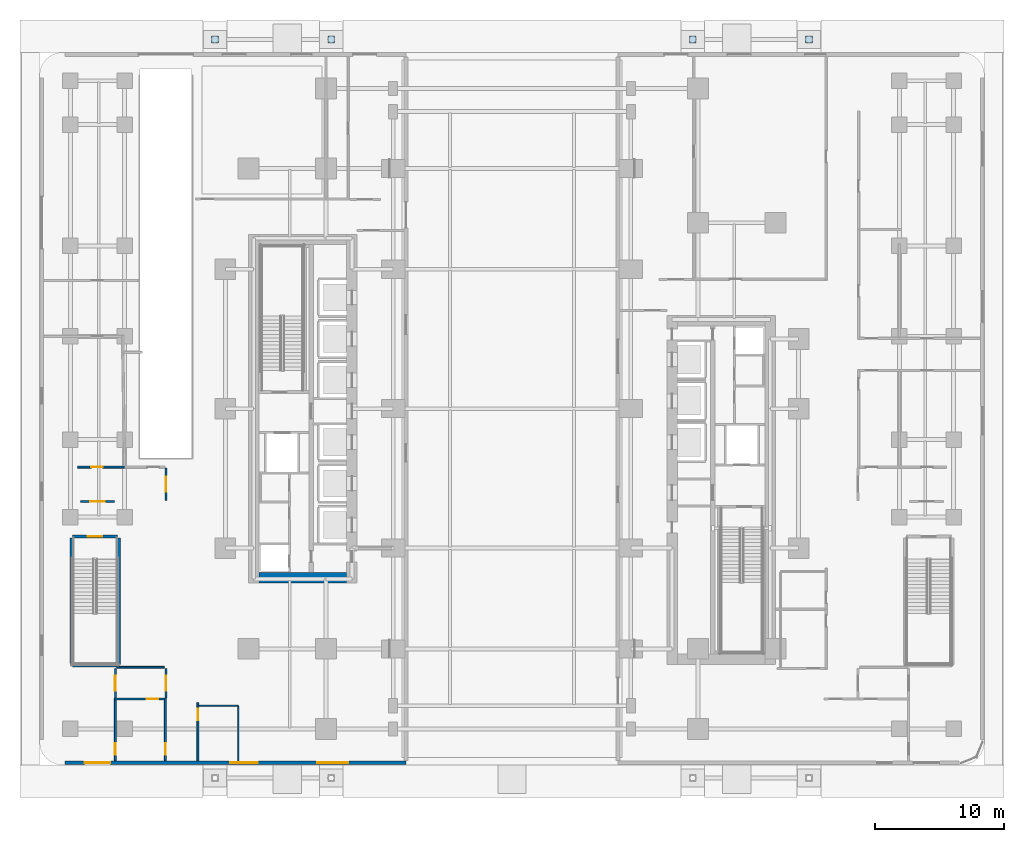
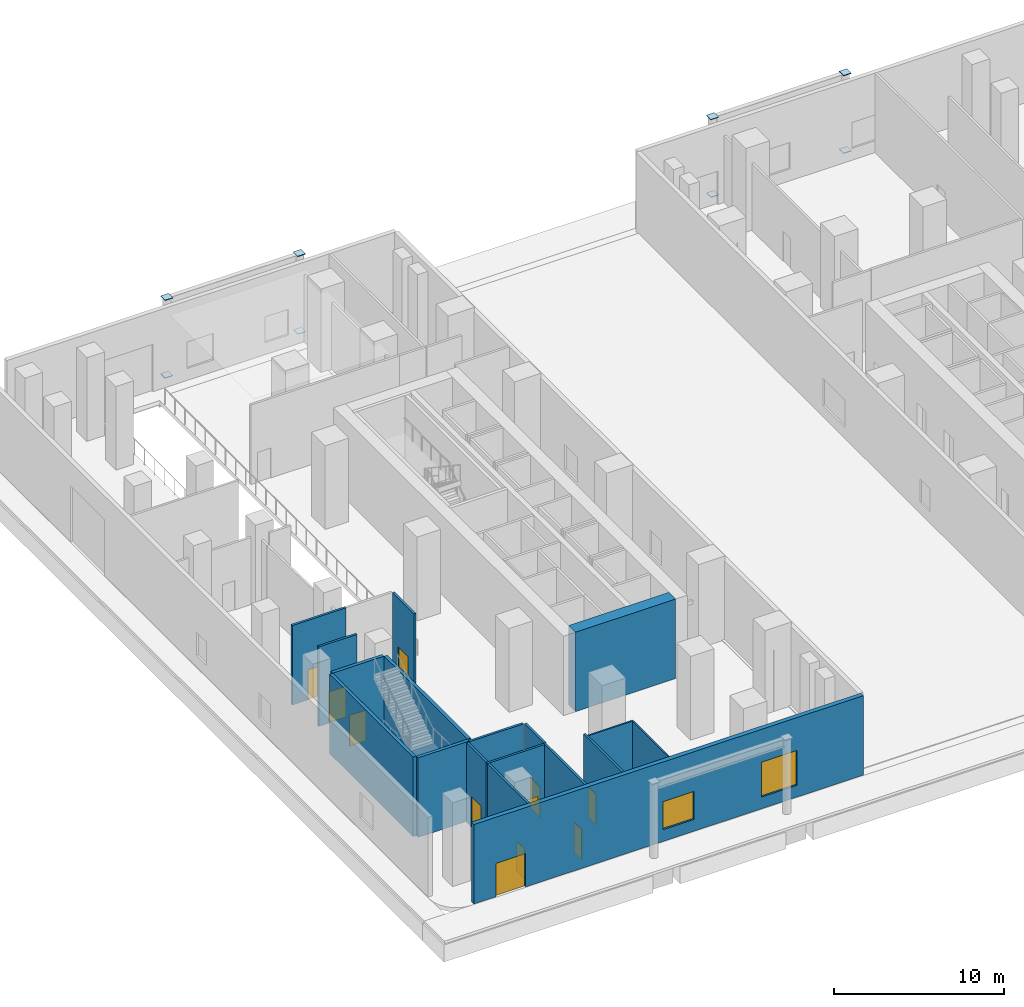
# One storey, part 8 of 22: 18 walls, 11 doors, 8 plates, 2 windows, 13 openings.
"""IFC4 building model written with IfcOpenShell, lengths in metres."""

from ifc_helpers import new_model, si_unit, direction, frame, frame_2d, origin, origin_2d, place, context, subcontext, project, spatial, rectangle, extrude, material, layer, layer_set, type_object, element, fill, save


model = new_model("IFC4")

# Units and contexts
model_context = context("Model", 3, precision=1e-05, world=origin(), true_north=direction((0.0, 1.0)))
body_context = subcontext(model_context, "Body", "Model", "MODEL_VIEW")
ifc_project = project(units=[si_unit("LENGTHUNIT", "METRE"), si_unit("AREAUNIT", "SQUARE_METRE"), si_unit("VOLUMEUNIT", "CUBIC_METRE"), si_unit("PLANEANGLEUNIT", "RADIAN"), si_unit("MASSUNIT", "GRAM", prefix="KILO")], contexts=[model_context])

# Site, building, storey
site_placement = place(None, origin())
site = spatial("IfcSite", under=ifc_project, at=site_placement, CompositionType="ELEMENT")
building_placement = place(site_placement, origin())
building = spatial("IfcBuilding", under=site, at=building_placement, Name="Khairoan Windgate Tower", CompositionType="ELEMENT")
storey_placement = place(building_placement, origin())
storey = spatial("IfcBuildingStorey", under=building, at=storey_placement, Name="L01", CompositionType="ELEMENT", Elevation=0.0)

# Plates
ifc_material_1 = material(Name="Steel S355", Category="steel")
ifc_layer_1 = layer(ifc_material_1, 0.0400390625, Name="Steel S355")
ifc_layer_set_1 = layer_set([ifc_layer_1], Name="Steel S355")
plate_type = type_object("IfcPlateType", Name="Hollow Section End-Cap Plate PL-CAP40", PredefinedType="SHEET", material=ifc_layer_set_1)
for number, where, z_axis, x_axis, name in (
    (1, (-23.0, 28.60009765625, -0.205078125), (0.0, 0.0, 1.0), (1.0, 0.0, 0.0), "COL-CAN-N--23 steel end-cap plate 1"),
    (2, (-23.0, 28.60009765625, 5.364990234375), (0.0, 0.0, 1.0), (1.0, 0.0, 0.0), "COL-CAN-N--23 steel end-cap plate 2"),
    (3, (-14.0, 28.60009765625, -0.205078125), (0.0, 0.0, 1.0), (1.0, 0.0, 0.0), "COL-CAN-N--14 steel end-cap plate 1"),
    (4, (-14.0, 28.60009765625, 5.364990234375), (0.0, 0.0, 1.0), (1.0, 0.0, 0.0), "COL-CAN-N--14 steel end-cap plate 2"),
    (5, (14.0, 28.60009765625, -0.205078125), (0.0, 0.0, 1.0), (1.0, 0.0, 0.0), "COL-CAN-N-+14 steel end-cap plate 1"),
    (6, (14.0, 28.60009765625, 5.364990234375), (0.0, 0.0, 1.0), (1.0, 0.0, 0.0), "COL-CAN-N-+14 steel end-cap plate 2"),
    (7, (23.0, 28.60009765625, -0.205078125), (0.0, 0.0, 1.0), (1.0, 0.0, 0.0), "COL-CAN-N-+23 steel end-cap plate 1"),
    (8, (23.0, 28.60009765625, 5.364990234375), (0.0, 0.0, 1.0), (1.0, 0.0, 0.0), "COL-CAN-N-+23 steel end-cap plate 2"),
):
    element("IfcPlate", number, at=place(storey_placement, frame(where, z_axis=z_axis, x_axis=x_axis)), inside=storey, type_object=plate_type, Name=name, PredefinedType="SHEET", context=body_context, shape_type="SweptSolid", body=[
        extrude(rectangle(XDim=0.528076171875, YDim=0.528076171875, at=origin_2d()), origin(), (0.0, 0.0, 1.0), 0.0400390625),
    ])

# Walls
ifc_material_2 = material(Name="Moisture-Resistant Gypsum Partition", Category="gypsum")
ifc_layer_2 = layer(ifc_material_2, 0.10009765625, Name="Moisture-Resistant Gypsum Partition")
ifc_layer_set_2 = layer_set([ifc_layer_2], Name="Moisture-Resistant Gypsum Partition")
wall_type_1 = type_object("IfcWallType", Name="Bathroom Wet-Area Partition Wall", PredefinedType="PARTITIONING", material=ifc_layer_set_2)
wall_1_placement = place(storey_placement, frame((-24.2451171875, -23.0, 0.0), z_axis=(0.0, 0.0, 1.0), x_axis=(1.0, 0.0, 0.0)))
element("IfcWall", 9, at=wall_1_placement, inside=storey, type_object=wall_type_1, Name="L01 Wet Room Side Wall 050", PredefinedType="PARTITIONING", context=body_context, shape_type="SweptSolid", body=[
    extrude(rectangle(XDim=3.045166015625, YDim=0.10009765625, at=frame_2d((1.5224609375, 0.0))), origin(), (0.0, 0.0, 1.0), 5.699951171875),
])
wall_2_placement = place(storey_placement, frame((-21.199951171875, -23.050048828125, 0.0), z_axis=(0.0, 0.0, 1.0), x_axis=(0.0, -1.0, 0.0)))
element("IfcWall", 10, at=wall_2_placement, inside=storey, type_object=wall_type_1, Name="L01 Wet Room Side Wall 051", PredefinedType="PARTITIONING", context=body_context, shape_type="SweptSolid", body=[
    extrude(rectangle(XDim=4.219970703125, YDim=0.10009765625, at=frame_2d((2.10986328125, 0.0))), origin(), (0.0, 0.0, 1.0), 5.699951171875),
])

# Wall, openings, door, windows
ifc_material_3 = material(Name="Precast Concrete C40/50", Category="concrete")
ifc_layer_3 = layer(ifc_material_3, 0.300048828125, Name="Precast Concrete C40/50")
ifc_layer_set_3 = layer_set([ifc_layer_3], Name="Precast Concrete C40/50")
wall_type_2 = type_object("IfcWallType", Name="Insulated Precast Spandrel Facade Wall EW1 300mm", PredefinedType="STANDARD", material=ifc_layer_set_3)
wall_3_placement = place(storey_placement, frame((-8.199951171875, -27.419921875, 0.0), z_axis=(0.0, 0.0, 1.0), x_axis=(-1.0, 0.0, 0.0)))
wall_3 = element("IfcWall", 11, at=wall_3_placement, inside=storey, type_object=wall_type_2, Name="Ground Facade Wall EW-L01-WS", PredefinedType="STANDARD", context=body_context, shape_type="SweptSolid", body=[
    extrude(rectangle(XDim=26.400146484375, YDim=0.300048828125, at=frame_2d((13.2001953125, 0.0))), origin(), (0.0, 0.0, 1.0), 5.699951171875),
])
opening_1_placement = place(wall_3_placement, frame((22.89990234375, 0.0, 0.0)))
opening_1 = element("IfcOpeningElement", 12, at=opening_1_placement, cuts=wall_3, Name="Opening ED-04", PredefinedType="OPENING", context=body_context, shape_type="SweptSolid", body=[
    extrude(rectangle(XDim=2.0, YDim=2.39990234375, at=frame_2d((1.0, 1.199951171875))), frame((0.0, 0.159912109375, 0.0), z_axis=(0.0, -1.0, 0.0), x_axis=(1.0, 0.0, 0.0)), (0.0, 0.0, 1.0), 0.320068359375),
])
opening_2_placement = place(wall_3_placement, frame((4.5, 0.0, 0.85009765625)))
opening_2 = element("IfcOpeningElement", 13, at=opening_2_placement, cuts=wall_3, Name="Opening WN-01", PredefinedType="OPENING", context=body_context, shape_type="SweptSolid", body=[
    extrude(rectangle(XDim=2.39990234375, YDim=2.5, at=frame_2d((1.199951171875, 1.25))), frame((0.0, 0.159912109375, 0.0), z_axis=(0.0, -1.0, 0.0), x_axis=(1.0, 0.0, 0.0)), (0.0, 0.0, 1.0), 0.320068359375),
])
opening_3_placement = place(wall_3_placement, frame((11.5, 0.0, 0.85009765625)))
opening_3 = element("IfcOpeningElement", 14, at=opening_3_placement, cuts=wall_3, Name="Opening WN-02", PredefinedType="OPENING", context=body_context, shape_type="SweptSolid", body=[
    extrude(rectangle(XDim=2.10009765625, YDim=2.0, at=frame_2d((1.050048828125, 1.0))), frame((0.0, 0.159912109375, 0.0), z_axis=(0.0, -1.0, 0.0), x_axis=(1.0, 0.0, 0.0)), (0.0, 0.0, 1.0), 0.320068359375),
])
ifc_material_4 = material(Name="Anodised Bronze Aluminium 6063-T6", Category="aluminium")
door_type_1 = type_object("IfcDoorType", Name="Double Pedestrian Final Exit Door ED-2000", OperationType="DOUBLE_DOOR_SINGLE_SWING", PredefinedType="DOOR", material=ifc_material_4)
door_1_placement = place(opening_1_placement, origin())
door_1 = element("IfcDoor", 15, at=door_1_placement, inside=storey, type_object=door_type_1, Name="Podium West Stair Final Exit Door ED-04", OperationType="DOUBLE_DOOR_SINGLE_SWING", OverallHeight=2.39990234375, OverallWidth=2.0, PredefinedType="DOOR", context=body_context, shape_type="SweptSolid", body=[
    extrude(rectangle(XDim=2.0, YDim=2.39990234375, at=frame_2d((1.0, 1.199951171875))), frame((0.0, 0.02490234375, 0.0), z_axis=(0.0, -1.0, 0.0), x_axis=(1.0, 0.0, 0.0)), (0.0, 0.0, 1.0), 0.050048828125),
])
fill(opening_1, door_1)
ifc_material_5 = material(Name="Low-E Solar Control Laminated Glass", Category="glass")
window_type_1 = type_object("IfcWindowType", Name="Window WN-01 2400x2500", PartitioningType="TRIPLE_PANEL_HORIZONTAL", PredefinedType="WINDOW", material=ifc_material_5)
window_1_placement = place(opening_2_placement, origin())
window_1 = element("IfcWindow", 16, at=window_1_placement, inside=storey, type_object=window_type_1, Name="L01 Facade Window 01", OverallHeight=2.5, OverallWidth=2.39990234375, PartitioningType="SINGLE_PANEL", PredefinedType="WINDOW", context=body_context, shape_type="SweptSolid", body=[
    extrude(rectangle(XDim=2.39990234375, YDim=2.5, at=frame_2d((1.199951171875, 1.25))), frame((0.0, 0.030029296875, 0.0), z_axis=(0.0, -1.0, 0.0), x_axis=(1.0, 0.0, 0.0)), (0.0, 0.0, 1.0), 0.06005859375),
])
fill(opening_2, window_1)
ifc_material_6 = material(Name="Low-E Solar Control Laminated Glass", Category="glass")
window_type_2 = type_object("IfcWindowType", Name="Window WN-02 2100x2000", PartitioningType="DOUBLE_PANEL_VERTICAL", PredefinedType="WINDOW", material=ifc_material_6)
window_2_placement = place(opening_3_placement, origin())
window_2 = element("IfcWindow", 17, at=window_2_placement, inside=storey, type_object=window_type_2, Name="L01 Facade Window 02", OverallHeight=2.0, OverallWidth=2.10009765625, PartitioningType="SINGLE_PANEL", PredefinedType="WINDOW", context=body_context, shape_type="SweptSolid", body=[
    extrude(rectangle(XDim=2.10009765625, YDim=2.0, at=frame_2d((1.050048828125, 1.0))), frame((0.0, 0.030029296875, 0.0), z_axis=(0.0, -1.0, 0.0), x_axis=(1.0, 0.0, 0.0)), (0.0, 0.0, 1.0), 0.06005859375),
])
fill(opening_3, window_2)

# Wall, opening, door
ifc_material_7 = material(Name="Acoustic Fire-Rated Gypsum Partition", Category="gypsum")
ifc_layer_4 = layer(ifc_material_7, 0.14990234375, Name="Acoustic Fire-Rated Gypsum Partition")
ifc_layer_set_4 = layer_set([ifc_layer_4], Name="Acoustic Fire-Rated Gypsum Partition")
wall_type_3 = type_object("IfcWallType", Name="Rated Corridor Partition Wall", PredefinedType="PARTITIONING", material=ifc_layer_set_4)
wall_4_placement = place(storey_placement, frame((-33.39990234375, -7.199951171875, 0.0), z_axis=(0.0, 0.0, 1.0), x_axis=(1.0, 0.0, 0.0)))
wall_4 = element("IfcWall", 18, at=wall_4_placement, inside=storey, type_object=wall_type_3, Name="L01 Protected Exit Wall PW-EX-S4A-L01", PredefinedType="PARTITIONING", context=body_context, shape_type="SweptSolid", body=[
    extrude(rectangle(XDim=2.599853515625, YDim=0.14990234375, at=frame_2d((1.2998046875, 0.0))), origin(), (0.0, 0.0, 1.0), 5.699951171875),
])
opening_4_placement = place(wall_4_placement, frame((0.72509765625, 0.0, 0.0)))
opening_4 = element("IfcOpeningElement", 19, at=opening_4_placement, cuts=wall_4, Name="Opening FD-FFL", PredefinedType="OPENING", context=body_context, shape_type="SweptSolid", body=[
    extrude(rectangle(XDim=1.14990234375, YDim=2.199951171875, at=frame_2d((0.574951171875, 1.10009765625))), frame((0.0, 0.0849609375, 0.0), z_axis=(0.0, -1.0, 0.0), x_axis=(1.0, 0.0, 0.0)), (0.0, 0.0, 1.0), 0.169921875),
])
ifc_material_8 = material(Name="Steel S355", Category="steel")
door_type_2 = type_object("IfcDoorType", Name="Firefighting Lobby Fire Door FD-FFL 1150x2200", OperationType="NOTDEFINED", PredefinedType="DOOR", material=ifc_material_8)
door_2_placement = place(opening_4_placement, origin())
door_2 = element("IfcDoor", 20, at=door_2_placement, inside=storey, type_object=door_type_2, Name="L01 Stair ST4 Vestibule Exit Fire Door", OperationType="SINGLE_SWING_RIGHT", OverallHeight=2.199951171875, OverallWidth=1.14990234375, PredefinedType="DOOR", context=body_context, shape_type="SweptSolid", body=[
    extrude(rectangle(XDim=1.14990234375, YDim=2.199951171875, at=frame_2d((0.574951171875, 1.10009765625))), frame((0.0, 0.02490234375, 0.0), z_axis=(0.0, -1.0, 0.0), x_axis=(1.0, 0.0, 0.0)), (0.0, 0.0, 1.0), 0.050048828125),
])
fill(opening_4, door_2)

wall_5_placement = place(storey_placement, frame((-26.800048828125, -7.1201171875, 0.0), z_axis=(0.0, 0.0, 1.0), x_axis=(0.0, 1.0, 0.0)))
wall_5 = element("IfcWall", 21, at=wall_5_placement, inside=storey, type_object=wall_type_3, Name="L01 Protected Exit Wall PW-EX-S4B-L01", PredefinedType="PARTITIONING", context=body_context, shape_type="SweptSolid", body=[
    extrude(rectangle(XDim=2.52001953125, YDim=0.14990234375, at=frame_2d((1.260009765625, 0.0))), origin(), (0.0, 0.0, 1.0), 5.699951171875),
])
opening_5_placement = place(wall_5_placement, frame((0.68505859375, 0.0, 0.0)))
opening_5 = element("IfcOpeningElement", 22, at=opening_5_placement, cuts=wall_5, Name="Opening FD-FFL", PredefinedType="OPENING", context=body_context, shape_type="SweptSolid", body=[
    extrude(rectangle(XDim=1.14990234375, YDim=2.199951171875, at=frame_2d((0.574951171875, 1.10009765625))), frame((0.0, 0.0849609375, 0.0), z_axis=(0.0, -1.0, 0.0), x_axis=(1.0, 0.0, 0.0)), (0.0, 0.0, 1.0), 0.169921875),
])
door_3_placement = place(opening_5_placement, origin())
door_3 = element("IfcDoor", 23, at=door_3_placement, inside=storey, type_object=door_type_2, Name="L01 West Wing Exit Corridor Fire Door", OperationType="SINGLE_SWING_LEFT", OverallHeight=2.199951171875, OverallWidth=1.14990234375, PredefinedType="DOOR", context=body_context, shape_type="SweptSolid", body=[
    extrude(rectangle(XDim=1.14990234375, YDim=2.199951171875, at=frame_2d((0.574951171875, 1.10009765625))), frame((0.0, 0.02490234375, 0.0), z_axis=(0.0, -1.0, 0.0), x_axis=(1.0, 0.0, 0.0)), (0.0, 0.0, 1.0), 0.050048828125),
])
fill(opening_5, door_3)

wall_6_placement = place(storey_placement, frame((-26.800048828125, -22.39990234375, 0.0), z_axis=(0.0, 0.0, 1.0), x_axis=(0.0, 1.0, 0.0)))
wall_6 = element("IfcWall", 24, at=wall_6_placement, inside=storey, type_object=wall_type_3, Name="L01 Protected Exit Wall PW-EX-S4C-L01", PredefinedType="PARTITIONING", context=body_context, shape_type="SweptSolid", body=[
    extrude(rectangle(XDim=2.2998046875, YDim=0.14990234375, at=frame_2d((1.14990234375, 0.0))), origin(), (0.0, 0.0, 1.0), 5.699951171875),
])
opening_6_placement = place(wall_6_placement, frame((0.574951171875, 0.0, 0.0)))
opening_6 = element("IfcOpeningElement", 25, at=opening_6_placement, cuts=wall_6, Name="Opening FD-FFL", PredefinedType="OPENING", context=body_context, shape_type="SweptSolid", body=[
    extrude(rectangle(XDim=1.14990234375, YDim=2.199951171875, at=frame_2d((0.574951171875, 1.10009765625))), frame((0.0, 0.0849609375, 0.0), z_axis=(0.0, -1.0, 0.0), x_axis=(1.0, 0.0, 0.0)), (0.0, 0.0, 1.0), 0.169921875),
])
door_4_placement = place(opening_6_placement, origin())
door_4 = element("IfcDoor", 26, at=door_4_placement, inside=storey, type_object=door_type_2, Name="L01 West South Cross-Passage Entry Fire Door", OperationType="SINGLE_SWING_RIGHT", OverallHeight=2.199951171875, OverallWidth=1.14990234375, PredefinedType="DOOR", context=body_context, shape_type="SweptSolid", body=[
    extrude(rectangle(XDim=1.14990234375, YDim=2.199951171875, at=frame_2d((0.574951171875, 1.10009765625))), frame((0.0, 0.02490234375, 0.0), z_axis=(0.0, -1.0, 0.0), x_axis=(1.0, 0.0, 0.0)), (0.0, 0.0, 1.0), 0.050048828125),
])
fill(opening_6, door_4)

wall_7_placement = place(storey_placement, frame((-30.719970703125, -22.39990234375, 0.0), z_axis=(0.0, 0.0, 1.0), x_axis=(0.0, 1.0, 0.0)))
wall_7 = element("IfcWall", 27, at=wall_7_placement, inside=storey, type_object=wall_type_3, Name="L01 Protected Exit Wall PW-EX-S4D-L01", PredefinedType="PARTITIONING", context=body_context, shape_type="SweptSolid", body=[
    extrude(rectangle(XDim=2.2998046875, YDim=0.14990234375, at=frame_2d((1.14990234375, 0.0))), origin(), (0.0, 0.0, 1.0), 5.699951171875),
])
opening_7_placement = place(wall_7_placement, frame((0.574951171875, 0.0, 0.0)))
opening_7 = element("IfcOpeningElement", 28, at=opening_7_placement, cuts=wall_7, Name="Opening FD-FFL", PredefinedType="OPENING", context=body_context, shape_type="SweptSolid", body=[
    extrude(rectangle(XDim=1.14990234375, YDim=2.199951171875, at=frame_2d((0.574951171875, 1.10009765625))), frame((0.0, 0.0849609375, 0.0), z_axis=(0.0, -1.0, 0.0), x_axis=(1.0, 0.0, 0.0)), (0.0, 0.0, 1.0), 0.169921875),
])
door_5_placement = place(opening_7_placement, origin())
door_5 = element("IfcDoor", 29, at=door_5_placement, inside=storey, type_object=door_type_2, Name="L01 West Boulevard Passage Fire Door", OperationType="SINGLE_SWING_LEFT", OverallHeight=2.199951171875, OverallWidth=1.14990234375, PredefinedType="DOOR", context=body_context, shape_type="SweptSolid", body=[
    extrude(rectangle(XDim=1.14990234375, YDim=2.199951171875, at=frame_2d((0.574951171875, 1.10009765625))), frame((0.0, 0.02490234375, 0.0), z_axis=(0.0, -1.0, 0.0), x_axis=(1.0, 0.0, 0.0)), (0.0, 0.0, 1.0), 0.050048828125),
])
fill(opening_7, door_5)

# Wall
wall_8_placement = place(storey_placement, frame((-30.60009765625, -20.02001953125, 0.0), z_axis=(0.0, 0.0, 1.0), x_axis=(1.0, 0.0, 0.0)))
element("IfcWall", 30, at=wall_8_placement, inside=storey, type_object=wall_type_3, Name="L01 Protected Exit Wall PW-EX-WN-L01", PredefinedType="PARTITIONING", context=body_context, shape_type="SweptSolid", body=[
    extrude(rectangle(XDim=3.68017578125, YDim=0.14990234375, at=frame_2d((1.840087890625, 0.0))), origin(), (0.0, 0.0, 1.0), 5.699951171875),
])

# Wall, opening, door
wall_9_placement = place(storey_placement, frame((-26.840087890625, -27.27001953125, 0.0), z_axis=(0.0, 0.0, 1.0), x_axis=(0.0, 1.0, 0.0)))
wall_9 = element("IfcWall", 31, at=wall_9_placement, inside=storey, type_object=wall_type_3, Name="L01 Interior Partition 011", PredefinedType="PARTITIONING", context=body_context, shape_type="SweptSolid", body=[
    extrude(rectangle(XDim=4.864990234375, YDim=0.14990234375, at=frame_2d((2.4326171875, 0.0))), origin(), (0.0, 0.0, 1.0), 5.699951171875),
])
opening_8_placement = place(wall_9_placement, frame((0.4599609375, 0.0, 0.0)))
opening_8 = element("IfcOpeningElement", 32, at=opening_8_placement, cuts=wall_9, Name="Opening FD-ENT", PredefinedType="OPENING", context=body_context, shape_type="SweptSolid", body=[
    extrude(rectangle(XDim=0.89990234375, YDim=2.14990234375, at=frame_2d((0.449951171875, 1.074951171875))), frame((0.0, 0.0849609375, 0.0), z_axis=(0.0, -1.0, 0.0), x_axis=(1.0, 0.0, 0.0)), (0.0, 0.0, 1.0), 0.169921875),
])
ifc_material_9 = material(Name="Timber Fire-Rated Core", Category="wood")
door_type_3 = type_object("IfcDoorType", Name="Unit and Office Fire Entrance Door FD-ENT 900x2150", OperationType="NOTDEFINED", PredefinedType="DOOR", material=ifc_material_9)
door_6_placement = place(opening_8_placement, origin())
door_6 = element("IfcDoor", 33, at=door_6_placement, inside=storey, type_object=door_type_3, Name="L01 L01-33-L01-47 Door", OperationType="SINGLE_SWING_RIGHT", OverallHeight=2.14990234375, OverallWidth=0.89990234375, PredefinedType="DOOR", context=body_context, shape_type="SweptSolid", body=[
    extrude(rectangle(XDim=0.89990234375, YDim=2.14990234375, at=frame_2d((0.449951171875, 1.074951171875))), frame((0.0, 0.02490234375, 0.0), z_axis=(0.0, -1.0, 0.0), x_axis=(1.0, 0.0, 0.0)), (0.0, 0.0, 1.0), 0.050048828125),
])
fill(opening_8, door_6)

wall_10_placement = place(storey_placement, frame((-24.320068359375, -27.27001953125, 0.0), z_axis=(0.0, 0.0, 1.0), x_axis=(0.0, 1.0, 0.0)))
wall_10 = element("IfcWall", 34, at=wall_10_placement, inside=storey, type_object=wall_type_3, Name="L01 Interior Partition 012", PredefinedType="PARTITIONING", context=body_context, shape_type="SweptSolid", body=[
    extrude(rectangle(XDim=4.510009765625, YDim=0.14990234375, at=frame_2d((2.2548828125, 0.0))), origin(), (0.0, 0.0, 1.0), 5.699951171875),
])
opening_9_placement = place(wall_10_placement, frame((3.14990234375, 0.0, 0.0)))
opening_9 = element("IfcOpeningElement", 35, at=opening_9_placement, cuts=wall_10, Name="Opening FD-ENT", PredefinedType="OPENING", context=body_context, shape_type="SweptSolid", body=[
    extrude(rectangle(XDim=0.89990234375, YDim=2.14990234375, at=frame_2d((0.449951171875, 1.074951171875))), frame((0.0, 0.0849609375, 0.0), z_axis=(0.0, -1.0, 0.0), x_axis=(1.0, 0.0, 0.0)), (0.0, 0.0, 1.0), 0.169921875),
])
door_7_placement = place(opening_9_placement, origin())
door_7 = element("IfcDoor", 36, at=door_7_placement, inside=storey, type_object=door_type_3, Name="L01 L01-33-L01-48 Door", OperationType="SINGLE_SWING_LEFT", OverallHeight=2.14990234375, OverallWidth=0.89990234375, PredefinedType="DOOR", context=body_context, shape_type="SweptSolid", body=[
    extrude(rectangle(XDim=0.89990234375, YDim=2.14990234375, at=frame_2d((0.449951171875, 1.074951171875))), frame((0.0, 0.02490234375, 0.0), z_axis=(0.0, -1.0, 0.0), x_axis=(1.0, 0.0, 0.0)), (0.0, 0.0, 1.0), 0.050048828125),
])
fill(opening_9, door_7)

wall_11_placement = place(storey_placement, frame((-33.639892578125, -4.52001953125, 0.0), z_axis=(0.0, 0.0, 1.0), x_axis=(1.0, 0.0, 0.0)))
wall_11 = element("IfcWall", 37, at=wall_11_placement, inside=storey, type_object=wall_type_3, Name="L01 Interior Partition 015", PredefinedType="PARTITIONING", context=body_context, shape_type="SweptSolid", body=[
    extrude(rectangle(XDim=3.639892578125, YDim=0.14990234375, at=frame_2d((1.81982421875, 0.0))), origin(), (0.0, 0.0, 1.0), 5.699951171875),
])
opening_10_placement = place(wall_11_placement, frame((1.066650390625, 0.0, 0.0)))
opening_10 = element("IfcOpeningElement", 38, at=opening_10_placement, cuts=wall_11, Name="Opening FD-ENT", PredefinedType="OPENING", context=body_context, shape_type="SweptSolid", body=[
    extrude(rectangle(XDim=0.89990234375, YDim=2.14990234375, at=frame_2d((0.449951171875, 1.074951171875))), frame((0.0, 0.0849609375, 0.0), z_axis=(0.0, -1.0, 0.0), x_axis=(1.0, 0.0, 0.0)), (0.0, 0.0, 1.0), 0.169921875),
])
door_8_placement = place(opening_10_placement, origin())
door_8 = element("IfcDoor", 39, at=door_8_placement, inside=storey, type_object=door_type_3, Name="L01 L01-35-L01-44 Door", OperationType="SINGLE_SWING_RIGHT", OverallHeight=2.14990234375, OverallWidth=0.89990234375, PredefinedType="DOOR", context=body_context, shape_type="SweptSolid", body=[
    extrude(rectangle(XDim=0.89990234375, YDim=2.14990234375, at=frame_2d((0.449951171875, 1.074951171875))), frame((0.0, 0.02490234375, 0.0), z_axis=(0.0, -1.0, 0.0), x_axis=(1.0, 0.0, 0.0)), (0.0, 0.0, 1.0), 0.050048828125),
])
fill(opening_10, door_8)

wall_12_placement = place(storey_placement, frame((-30.794921875, -22.47998046875, 0.0), z_axis=(0.0, 0.0, 1.0), x_axis=(1.0, 0.0, 0.0)))
wall_12 = element("IfcWall", 40, at=wall_12_placement, inside=storey, type_object=wall_type_3, Name="L01 Interior Partition 017", PredefinedType="PARTITIONING", context=body_context, shape_type="SweptSolid", body=[
    extrude(rectangle(XDim=3.8798828125, YDim=0.14990234375, at=frame_2d((1.93994140625, 0.0))), origin(), (0.0, 0.0, 1.0), 5.699951171875),
])
opening_11_placement = place(wall_12_placement, frame((2.52001953125, 0.0, 0.0)))
opening_11 = element("IfcOpeningElement", 41, at=opening_11_placement, cuts=wall_12, Name="Opening FD-ENT", PredefinedType="OPENING", context=body_context, shape_type="SweptSolid", body=[
    extrude(rectangle(XDim=0.89990234375, YDim=2.14990234375, at=frame_2d((0.449951171875, 1.074951171875))), frame((0.0, 0.0849609375, 0.0), z_axis=(0.0, -1.0, 0.0), x_axis=(1.0, 0.0, 0.0)), (0.0, 0.0, 1.0), 0.169921875),
])
door_9_placement = place(opening_11_placement, origin())
door_9 = element("IfcDoor", 42, at=door_9_placement, inside=storey, type_object=door_type_3, Name="L01 L01-37-L01-47 Door", OperationType="SINGLE_SWING_RIGHT", OverallHeight=2.14990234375, OverallWidth=0.89990234375, PredefinedType="DOOR", context=body_context, shape_type="SweptSolid", body=[
    extrude(rectangle(XDim=0.89990234375, YDim=2.14990234375, at=frame_2d((0.449951171875, 1.074951171875))), frame((0.0, 0.02490234375, 0.0), z_axis=(0.0, -1.0, 0.0), x_axis=(1.0, 0.0, 0.0)), (0.0, 0.0, 1.0), 0.050048828125),
])
fill(opening_11, door_9)

wall_13_placement = place(storey_placement, frame((-30.719970703125, -27.27001953125, 0.0), z_axis=(0.0, 0.0, 1.0), x_axis=(0.0, 1.0, 0.0)))
wall_13 = element("IfcWall", 43, at=wall_13_placement, inside=storey, type_object=wall_type_3, Name="L01 Interior Partition 018", PredefinedType="PARTITIONING", context=body_context, shape_type="SweptSolid", body=[
    extrude(rectangle(XDim=4.715087890625, YDim=0.14990234375, at=frame_2d((2.357421875, 0.0))), origin(), (0.0, 0.0, 1.0), 5.699951171875),
])
opening_12_placement = place(wall_13_placement, frame((0.4599609375, 0.0, 0.0)))
opening_12 = element("IfcOpeningElement", 44, at=opening_12_placement, cuts=wall_13, Name="Opening FD-ENT", PredefinedType="OPENING", context=body_context, shape_type="SweptSolid", body=[
    extrude(rectangle(XDim=0.89990234375, YDim=2.14990234375, at=frame_2d((0.449951171875, 1.074951171875))), frame((0.0, 0.0849609375, 0.0), z_axis=(0.0, -1.0, 0.0), x_axis=(1.0, 0.0, 0.0)), (0.0, 0.0, 1.0), 0.169921875),
])
door_10_placement = place(opening_12_placement, origin())
door_10 = element("IfcDoor", 45, at=door_10_placement, inside=storey, type_object=door_type_3, Name="L01 L01-38-L01-47 Door", OperationType="SINGLE_SWING_LEFT", OverallHeight=2.14990234375, OverallWidth=0.89990234375, PredefinedType="DOOR", context=body_context, shape_type="SweptSolid", body=[
    extrude(rectangle(XDim=0.89990234375, YDim=2.14990234375, at=frame_2d((0.449951171875, 1.074951171875))), frame((0.0, 0.02490234375, 0.0), z_axis=(0.0, -1.0, 0.0), x_axis=(1.0, 0.0, 0.0)), (0.0, 0.0, 1.0), 0.050048828125),
])
fill(opening_12, door_10)

# Wall
ifc_material_10 = material(Name="Concrete C70/85", Category="concrete")
ifc_layer_5 = layer(ifc_material_10, 0.800048828125, Name="Concrete C70/85")
ifc_layer_set_5 = layer_set([ifc_layer_5], Name="Concrete C70/85")
wall_type_4 = type_object("IfcWallType", Name="Shear Wall CW-W1 800mm", PredefinedType="SHEAR", material=ifc_layer_set_5)
wall_14_placement = place(storey_placement, frame((-19.60009765625, -13.10009765625, 0.0), z_axis=(0.0, 0.0, 1.0), x_axis=(1.0, 0.0, 0.0)))
element("IfcWall", 46, at=wall_14_placement, inside=storey, type_object=wall_type_4, Name="W Core South Shear Wall L01", PredefinedType="SHEAR", context=body_context, shape_type="SweptSolid", body=[
    extrude(rectangle(XDim=6.800048828125, YDim=0.800048828125, at=frame_2d((3.39990234375, 0.0))), origin(), (0.0, 0.0, 1.0), 5.699951171875),
])

# Wall, opening, door
ifc_material_11 = material(Name="Concrete C50/60", Category="concrete")
ifc_layer_6 = layer(ifc_material_11, 0.219970703125, Name="Concrete C50/60")
ifc_layer_set_6 = layer_set([ifc_layer_6], Name="Concrete C50/60")
wall_type_5 = type_object("IfcWallType", Name="Shear Wall SW-ST 220mm", PredefinedType="SHEAR", material=ifc_layer_set_6)
wall_15_placement = place(storey_placement, frame((-34.02001953125, -9.889892578125, 0.0), z_axis=(0.0, 0.0, 1.0), x_axis=(1.0, 0.0, 0.0)))
wall_15 = element("IfcWall", 47, at=wall_15_placement, inside=storey, type_object=wall_type_5, Name="L01 ST4 North Bearing Wall", PredefinedType="SHEAR", context=body_context, shape_type="SweptSolid", body=[
    extrude(rectangle(XDim=3.469970703125, YDim=0.219970703125, at=frame_2d((1.73486328125, 0.0))), origin(), (0.0, 0.0, 1.0), 5.699951171875),
])
opening_13_placement = place(wall_15_placement, frame((1.179931640625, 0.0, 0.0)))
opening_13 = element("IfcOpeningElement", 48, at=opening_13_placement, cuts=wall_15, Name="Opening FD-ST", PredefinedType="OPENING", context=body_context, shape_type="SweptSolid", body=[
    extrude(rectangle(XDim=1.10009765625, YDim=2.199951171875, at=frame_2d((0.550048828125, 1.10009765625))), frame((0.0, 0.119873046875, 0.0), z_axis=(0.0, -1.0, 0.0), x_axis=(1.0, 0.0, 0.0)), (0.0, 0.0, 1.0), 0.239990234375),
])
ifc_material_12 = material(Name="Steel S355", Category="steel")
door_type_4 = type_object("IfcDoorType", Name="Smokeproof Stair Fire Door FD-ST 1100x2200", OperationType="NOTDEFINED", PredefinedType="DOOR", material=ifc_material_12)
door_11_placement = place(opening_13_placement, origin())
door_11 = element("IfcDoor", 49, at=door_11_placement, inside=storey, type_object=door_type_4, Name="L01 Stair ST4 Fire Door", OperationType="SINGLE_SWING_RIGHT", OverallHeight=2.199951171875, OverallWidth=1.10009765625, PredefinedType="DOOR", context=body_context, shape_type="SweptSolid", body=[
    extrude(rectangle(XDim=1.10009765625, YDim=2.199951171875, at=frame_2d((0.550048828125, 1.10009765625))), frame((0.0, 0.02490234375, 0.0), z_axis=(0.0, -1.0, 0.0), x_axis=(1.0, 0.0, 0.0)), (0.0, 0.0, 1.0), 0.050048828125),
])
fill(opening_13, door_11)

# Walls
wall_16_placement = place(storey_placement, frame((-34.02001953125, -19.909912109375, 0.0), z_axis=(0.0, 0.0, 1.0), x_axis=(1.0, 0.0, 0.0)))
element("IfcWall", 50, at=wall_16_placement, inside=storey, type_object=wall_type_5, Name="L01 ST4 South Bearing Wall", PredefinedType="SHEAR", context=body_context, shape_type="SweptSolid", body=[
    extrude(rectangle(XDim=3.469970703125, YDim=0.219970703125, at=frame_2d((1.73486328125, 0.0))), origin(), (0.0, 0.0, 1.0), 5.699951171875),
])
for number, where, z_axis, x_axis, name in (
    (51, (-34.1298828125, -19.800048828125, 0.0), (0.0, 0.0, 1.0), (0.0, 1.0, 0.0), "L01 ST4 West Bearing Wall"),
    (52, (-30.43994140625, -19.800048828125, 0.0), (0.0, 0.0, 1.0), (0.0, 1.0, 0.0), "L01 ST4 East Bearing Wall"),
):
    element("IfcWall", number, at=place(storey_placement, frame(where, z_axis=z_axis, x_axis=x_axis)), inside=storey, type_object=wall_type_5, Name=name, PredefinedType="SHEAR", context=body_context, shape_type="SweptSolid", body=[
        extrude(rectangle(XDim=9.800048828125, YDim=0.219970703125, at=frame_2d((4.89990234375, 0.0))), origin(), (0.0, 0.0, 1.0), 5.699951171875),
    ])

save(model, "model.ifc")
